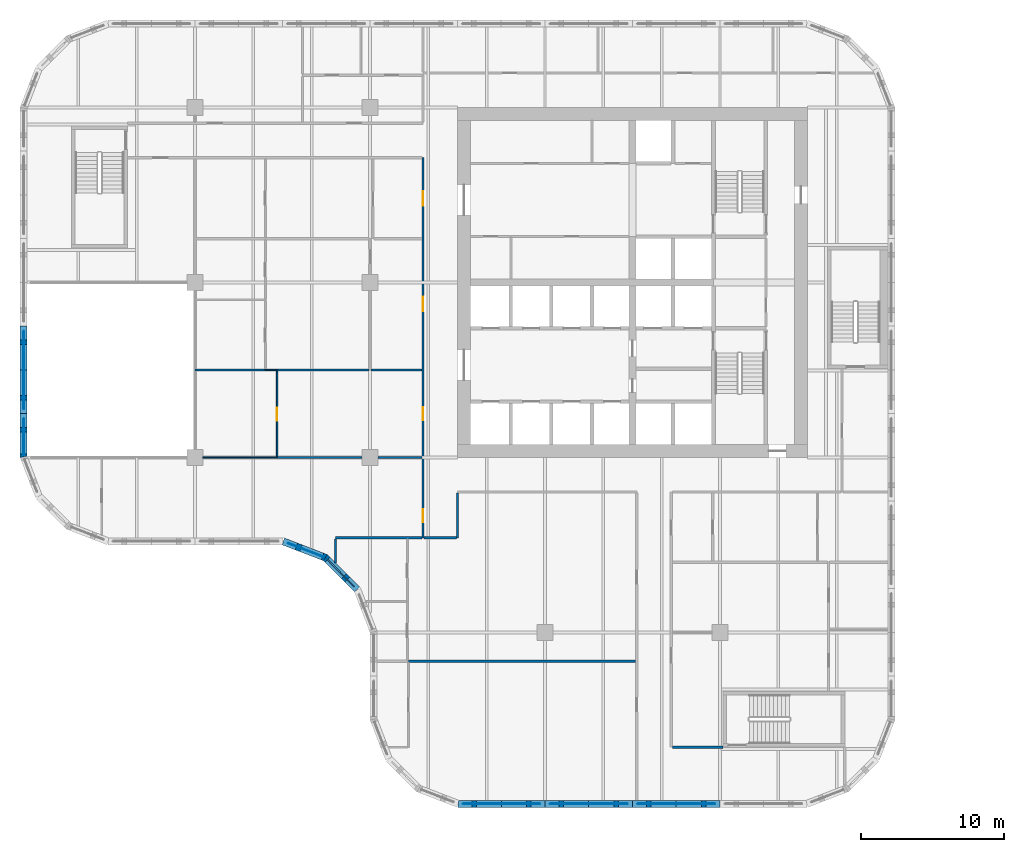
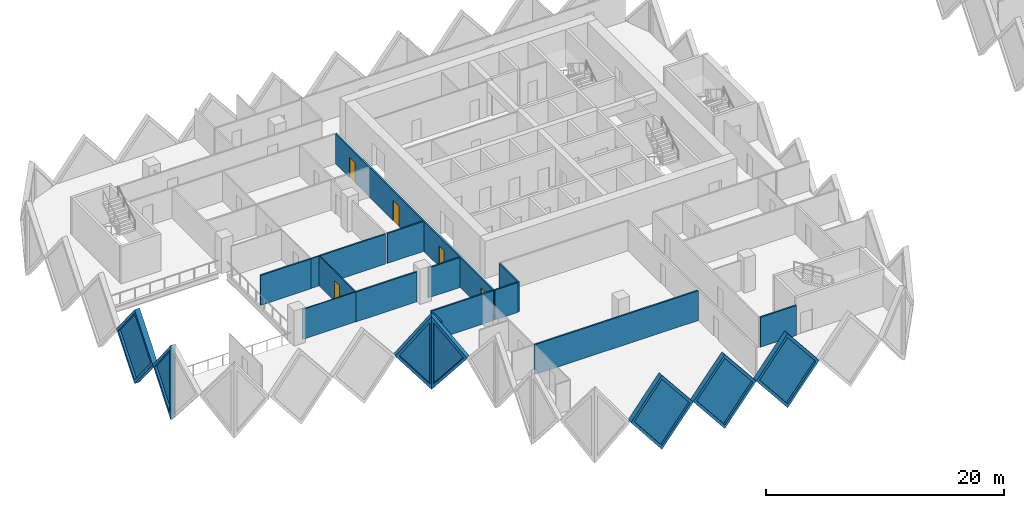
# One storey, part 5 of 19: 22 walls, 7 plates, 5 doors, 12 openings.
"""IFC4 building model written with IfcOpenShell, lengths in metres."""

from ifc_helpers import new_model, si_unit, direction, frame, frame_2d, origin, place, context, subcontext, project, spatial, polyline, rectangle, outline, extrude, faceted_brep, source, transform, mapped, material, layer, layer_set, type_object, element, fill, save


model = new_model("IFC4")

# Units and contexts
model_context = context("Model", 3, precision=1e-05, world=origin(), true_north=direction((0.0, 1.0)))
body_context = subcontext(model_context, "Body", "Model", "MODEL_VIEW")
ifc_project = project(units=[si_unit("LENGTHUNIT", "METRE"), si_unit("AREAUNIT", "SQUARE_METRE"), si_unit("VOLUMEUNIT", "CUBIC_METRE"), si_unit("PLANEANGLEUNIT", "RADIAN"), si_unit("MASSUNIT", "GRAM", prefix="KILO")], contexts=[model_context])

# Site, building, storey
site_placement = place(None, origin())
site = spatial("IfcSite", under=ifc_project, at=site_placement, CompositionType="ELEMENT")
building_placement = place(site_placement, origin())
building = spatial("IfcBuilding", under=site, at=building_placement, Name="Tessera Gate Towers", CompositionType="ELEMENT")
storey_placement = place(building_placement, frame((0.0, 0.0, 29.60009765625)))
storey = spatial("IfcBuildingStorey", under=building, at=storey_placement, Name="L06", CompositionType="ELEMENT", Elevation=29.60009765625)

# Wall
ifc_material_1 = material(Name="Gypsum board on steel studs, mineral wool", Category="steel")
ifc_layer_1 = layer(ifc_material_1, 0.14990234375)
ifc_layer_set_1 = layer_set([ifc_layer_1], Name="CORRIDOR WALL 150")
wall_type_1 = type_object("IfcWallType", Name="CORRIDOR WALL 150", PredefinedType="PARTITIONING", material=ifc_layer_set_1)
wall_1_placement = place(storey_placement, frame((45.47607421875, 4.199951171875, 0.0), z_axis=(0.0, 0.0, 1.0), x_axis=(1.0, 0.0, 0.0)))
element("IfcWall", 1, at=wall_1_placement, inside=storey, type_object=wall_type_1, Name="T1-L06-PW-006", PredefinedType="PARTITIONING", context=body_context, shape_type="SweptSolid", body=[
    extrude(rectangle(XDim=3.52392578125, YDim=0.14990234375, at=frame_2d((1.761962890625, 0.0))), origin(), (0.0, 0.0, 1.0), 3.06689453125),
])

# Wall, openings, doors
wall_2_placement = place(storey_placement, frame((28.10009765625, 18.800048828125, 0.0), z_axis=(0.0, 0.0, 1.0), x_axis=(0.0, 1.0, 0.0)))
wall_2 = element("IfcWall", 2, at=wall_2_placement, inside=storey, type_object=wall_type_1, Name="T1-L06-PW-020", PredefinedType="PARTITIONING", context=body_context, shape_type="SweptSolid", body=[
    extrude(rectangle(XDim=26.5, YDim=0.14990234375, at=frame_2d((13.25, 0.0))), origin(), (0.0, 0.0, 1.0), 3.06689453125),
])
shared_shape_1 = source(origin(), body_context, "Body", "SweptSolid", [
    extrude(rectangle(XDim=0.89990234375, YDim=2.10009765625, at=frame_2d((0.449951171875, 1.050048828125))), frame((0.0, 0.0849609375, 0.0), z_axis=(0.0, -1.0, 0.0), x_axis=(1.0, 0.0, 0.0)), (0.0, 0.0, 1.0), 0.169921875),
])
opening_1_placement = place(wall_2_placement, frame((1.10009765625, 0.0, 0.0)))
opening_1 = element("IfcOpeningElement", 3, at=opening_1_placement, cuts=wall_2, Name="Opening D890FD60-A02-01", PredefinedType="OPENING", context=body_context, shape_type="MappedRepresentation", body=[
    mapped(shared_shape_1, transform((0.0, 0.0, 0.0), scale=1.0)),
])
shared_shape_2 = source(origin(), body_context, "Body", "SweptSolid", [
    extrude(rectangle(XDim=1.0, YDim=2.10009765625, at=frame_2d((0.5, 1.050048828125))), frame((0.0, 0.0849609375, 0.0), z_axis=(0.0, -1.0, 0.0), x_axis=(1.0, 0.0, 0.0)), (0.0, 0.0, 1.0), 0.169921875),
])
opening_2_placement = place(wall_2_placement, frame((23.15087890625, 0.0, 0.0)))
opening_2 = element("IfcOpeningElement", 4, at=opening_2_placement, cuts=wall_2, Name="Opening D2100FD60-A02-03", PredefinedType="OPENING", context=body_context, shape_type="MappedRepresentation", body=[
    mapped(shared_shape_2, transform((0.0, 0.0, 0.0), scale=1.0)),
])
opening_3_placement = place(wall_2_placement, frame((8.199951171875, 0.0, 0.0)))
opening_3 = element("IfcOpeningElement", 5, at=opening_3_placement, cuts=wall_2, Name="Opening D890FD60-A02-03", PredefinedType="OPENING", context=body_context, shape_type="MappedRepresentation", body=[
    mapped(shared_shape_1, transform((0.0, 0.0, 0.0), scale=1.0)),
])
opening_4_placement = place(wall_2_placement, frame((15.800048828125, 0.0, 0.0)))
opening_4 = element("IfcOpeningElement", 6, at=opening_4_placement, cuts=wall_2, Name="Opening D2100FD60-A02-05", PredefinedType="OPENING", context=body_context, shape_type="MappedRepresentation", body=[
    mapped(shared_shape_2, transform((0.0, 0.0, 0.0), scale=1.0)),
])
ifc_material_2 = material(Name="Timber door leaf in steel frame", Category="steel")
door_type_1 = type_object("IfcDoorType", Name="CORRIDOR DOOR 900 FD60", OperationType="NOTDEFINED", PredefinedType="DOOR", material=ifc_material_2)
shared_shape_3 = source(origin(), body_context, "Body", "SweptSolid", [
    extrude(rectangle(XDim=0.89990234375, YDim=2.10009765625, at=frame_2d((0.449951171875, 1.050048828125))), frame((0.0, 0.02490234375, 0.0), z_axis=(0.0, -1.0, 0.0), x_axis=(1.0, 0.0, 0.0)), (0.0, 0.0, 1.0), 0.050048828125),
])
door_1_placement = place(opening_1_placement, origin())
door_1 = element("IfcDoor", 7, at=door_1_placement, inside=storey, type_object=door_type_1, Name="T1-L06-PD-001", OperationType="SINGLE_SWING_LEFT", OverallHeight=2.10009765625, OverallWidth=0.89990234375, PredefinedType="DOOR", context=body_context, shape_type="MappedRepresentation", body=[
    mapped(shared_shape_3, transform((0.0, 0.0, 0.0), scale=1.0)),
])
fill(opening_1, door_1)
door_2_placement = place(opening_3_placement, origin())
door_2 = element("IfcDoor", 8, at=door_2_placement, inside=storey, type_object=door_type_1, Name="T1-L06-PD-020", OperationType="SINGLE_SWING_LEFT", OverallHeight=2.10009765625, OverallWidth=0.89990234375, PredefinedType="DOOR", context=body_context, shape_type="MappedRepresentation", body=[
    mapped(shared_shape_3, transform((0.0, 0.0, 0.0), scale=1.0)),
])
fill(opening_3, door_2)
ifc_material_3 = material(Name="Timber door leaf in steel frame", Category="steel")
door_type_2 = type_object("IfcDoorType", Name="TENANCY ENTRANCE DOOR 1000 FD60", OperationType="NOTDEFINED", PredefinedType="DOOR", material=ifc_material_3)
shared_shape_4 = source(origin(), body_context, "Body", "SweptSolid", [
    extrude(rectangle(XDim=1.0, YDim=2.10009765625, at=frame_2d((0.5, 1.050048828125))), frame((0.0, 0.02490234375, 0.0), z_axis=(0.0, -1.0, 0.0), x_axis=(1.0, 0.0, 0.0)), (0.0, 0.0, 1.0), 0.050048828125),
])
door_3_placement = place(opening_2_placement, origin())
door_3 = element("IfcDoor", 9, at=door_3_placement, inside=storey, type_object=door_type_2, Name="T1-L06-PD-017", OperationType="SINGLE_SWING_LEFT", OverallHeight=2.10009765625, OverallWidth=1.0, PredefinedType="DOOR", context=body_context, shape_type="MappedRepresentation", body=[
    mapped(shared_shape_4, transform((0.0, 0.0, 0.0), scale=1.0)),
])
fill(opening_2, door_3)
door_4_placement = place(opening_4_placement, origin())
door_4 = element("IfcDoor", 10, at=door_4_placement, inside=storey, type_object=door_type_2, Name="T1-L06-PD-026", OperationType="SINGLE_SWING_LEFT", OverallHeight=2.10009765625, OverallWidth=1.0, PredefinedType="DOOR", context=body_context, shape_type="MappedRepresentation", body=[
    mapped(shared_shape_4, transform((0.0, 0.0, 0.0), scale=1.0)),
])
fill(opening_4, door_4)

# Walls
wall_3_placement = place(storey_placement, frame((28.176025390625, 18.800048828125, 0.0), z_axis=(0.0, 0.0, 1.0), x_axis=(1.0, 0.0, 0.0)))
element("IfcWall", 11, at=wall_3_placement, inside=storey, type_object=wall_type_1, Name="T1-L06-PW-021", PredefinedType="PARTITIONING", context=body_context, shape_type="SweptSolid", body=[
    extrude(rectangle(XDim=2.248046875, YDim=0.14990234375, at=frame_2d((1.1240234375, 0.0))), origin(), (0.0, 0.0, 1.0), 3.06689453125),
])
wall_4_placement = place(storey_placement, frame((30.5, 18.800048828125, 0.0), z_axis=(0.0, 0.0, 1.0), x_axis=(0.0, 1.0, 0.0)))
element("IfcWall", 12, at=wall_4_placement, inside=storey, type_object=wall_type_1, Name="T1-L06-PW-022", PredefinedType="PARTITIONING", context=body_context, shape_type="SweptSolid", body=[
    extrude(rectangle(XDim=3.1240234375, YDim=0.14990234375, at=frame_2d((1.56201171875, 0.0))), origin(), (0.0, 0.0, 1.0), 3.06689453125),
])
ifc_material_4 = material(Name="Glass", Category="glass")
ifc_layer_2 = layer(ifc_material_4, 0.10009765625)
ifc_layer_set_2 = layer_set([ifc_layer_2], Name="GLAZED PARTITION 100")
wall_type_2 = type_object("IfcWallType", Name="GLAZED PARTITION 100", PredefinedType="PARTITIONING", material=ifc_layer_set_2)
wall_5_placement = place(storey_placement, frame((12.7509765625, 24.39990234375, 0.0), z_axis=(0.0, 0.0, 1.0), x_axis=(1.0, 0.0, 0.0)))
element("IfcWall", 13, at=wall_5_placement, inside=storey, type_object=wall_type_2, Name="T1-L06-PW-028", PredefinedType="PARTITIONING", context=body_context, shape_type="SweptSolid", body=[
    extrude(rectangle(XDim=5.173095703125, YDim=0.10009765625, at=frame_2d((2.58642578125, 0.0))), origin(), (0.0, 0.0, 1.0), 3.06689453125),
])

# Wall, opening, door
wall_6_placement = place(storey_placement, frame((17.925048828125, 24.47607421875, 0.0), z_axis=(0.0, 0.0, 1.0), x_axis=(0.0, 1.0, 0.0)))
wall_6 = element("IfcWall", 14, at=wall_6_placement, inside=storey, type_object=wall_type_2, Name="T1-L06-PW-031", PredefinedType="PARTITIONING", context=body_context, shape_type="SweptSolid", body=[
    extrude(rectangle(XDim=5.947998046875, YDim=0.10009765625, at=frame_2d((2.97412109375, 0.0))), origin(), (0.0, 0.0, 1.0), 3.06689453125),
])
shared_shape_5 = source(origin(), body_context, "Body", "SweptSolid", [
    extrude(rectangle(XDim=0.89990234375, YDim=2.10009765625, at=frame_2d((0.449951171875, 1.050048828125))), frame((0.0, 0.06005859375, 0.0), z_axis=(0.0, -1.0, 0.0), x_axis=(1.0, 0.0, 0.0)), (0.0, 0.0, 1.0), 0.1201171875),
])
opening_5_placement = place(wall_6_placement, frame((2.5, 0.0, 0.0)))
opening_5 = element("IfcOpeningElement", 15, at=opening_5_placement, cuts=wall_6, Name="Opening D690-A02-02", PredefinedType="OPENING", context=body_context, shape_type="MappedRepresentation", body=[
    mapped(shared_shape_5, transform((0.0, 0.0, 0.0), scale=1.0)),
])
ifc_material_5 = material(Name="Glass in aluminium frame", Category="aluminium")
door_type_3 = type_object("IfcDoorType", Name="GLAZED DOOR 900 NOT RATED", OperationType="NOTDEFINED", PredefinedType="DOOR", material=ifc_material_5)
door_5_placement = place(opening_5_placement, origin())
door_5 = element("IfcDoor", 16, at=door_5_placement, inside=storey, type_object=door_type_3, Name="T1-L06-PD-018", OperationType="SINGLE_SWING_LEFT", OverallHeight=2.10009765625, OverallWidth=0.89990234375, PredefinedType="DOOR", context=body_context, shape_type="MappedRepresentation", body=[
    mapped(shared_shape_3, transform((0.0, 0.0, 0.0), scale=1.0)),
])
fill(opening_5, door_5)

# Walls
wall_7_placement = place(storey_placement, frame((17.10107421875, 30.5, 0.0), z_axis=(0.0, 0.0, 1.0), x_axis=(1.0, 0.0, 0.0)))
element("IfcWall", 17, at=wall_7_placement, inside=storey, type_object=wall_type_2, Name="T1-L06-PW-033", PredefinedType="PARTITIONING", context=body_context, shape_type="SweptSolid", body=[
    extrude(rectangle(XDim=0.822998046875, YDim=0.10009765625, at=frame_2d((0.41162109375, 0.0))), origin(), (0.0, 0.0, 1.0), 3.06689453125),
])
ifc_material_6 = material(Name="Gypsum board on steel studs, mineral wool", Category="steel")
ifc_layer_3 = layer(ifc_material_6, 0.14990234375)
ifc_layer_set_3 = layer_set([ifc_layer_3], Name="TENANCY WALL 150")
wall_type_3 = type_object("IfcWallType", Name="TENANCY WALL 150", PredefinedType="PARTITIONING", material=ifc_layer_set_3)
wall_8_placement = place(storey_placement, frame((27.074951171875, 10.199951171875, 0.0), z_axis=(0.0, 0.0, 1.0), x_axis=(1.0, 0.0, 0.0)))
element("IfcWall", 18, at=wall_8_placement, inside=storey, type_object=wall_type_3, Name="T1-L06-PW-009", PredefinedType="PARTITIONING", context=body_context, shape_type="SweptSolid", body=[
    extrude(rectangle(XDim=15.84912109375, YDim=0.14990234375, at=frame_2d((7.924560546875, 0.0))), origin(), (0.0, 0.0, 1.0), 3.06689453125),
])
wall_9_placement = place(storey_placement, frame((22.0, 17.054931640625, 0.0), z_axis=(0.0, 0.0, 1.0), x_axis=(0.0, 1.0, 0.0)))
element("IfcWall", 19, at=wall_9_placement, inside=storey, type_object=wall_type_3, Name="T1-L06-PW-014", PredefinedType="PARTITIONING", context=body_context, shape_type="SweptSolid", body=[
    extrude(rectangle(XDim=1.669189453125, YDim=0.14990234375, at=frame_2d((0.83447265625, 0.0))), origin(), (0.0, 0.0, 1.0), 3.06689453125),
])
wall_10_placement = place(storey_placement, frame((22.0, 18.800048828125, 0.0), z_axis=(0.0, 0.0, 1.0), x_axis=(1.0, 0.0, 0.0)))
element("IfcWall", 20, at=wall_10_placement, inside=storey, type_object=wall_type_3, Name="T1-L06-PW-019", PredefinedType="PARTITIONING", context=body_context, shape_type="SweptSolid", body=[
    extrude(rectangle(XDim=6.02392578125, YDim=0.14990234375, at=frame_2d((3.011962890625, 0.0))), origin(), (0.0, 0.0, 1.0), 3.06689453125),
])
wall_11_placement = place(storey_placement, frame((17.925048828125, 24.39990234375, 0.0), z_axis=(0.0, 0.0, 1.0), x_axis=(1.0, 0.0, 0.0)))
element("IfcWall", 21, at=wall_11_placement, inside=storey, type_object=wall_type_3, Name="T1-L06-PW-029", PredefinedType="PARTITIONING", context=body_context, shape_type="SweptSolid", body=[
    extrude(rectangle(XDim=5.924072265625, YDim=0.14990234375, at=frame_2d((2.9619140625, 0.0))), origin(), (0.0, 0.0, 1.0), 3.06689453125),
])
wall_12_placement = place(storey_placement, frame((24.950927734375, 24.39990234375, 0.0), z_axis=(0.0, 0.0, 1.0), x_axis=(1.0, 0.0, 0.0)))
element("IfcWall", 22, at=wall_12_placement, inside=storey, type_object=wall_type_3, Name="T1-L06-PW-030", PredefinedType="PARTITIONING", context=body_context, shape_type="SweptSolid", body=[
    extrude(rectangle(XDim=3.072998046875, YDim=0.14990234375, at=frame_2d((1.53662109375, 0.0))), origin(), (0.0, 0.0, 1.0), 3.06689453125),
])
wall_13_placement = place(storey_placement, frame((12.199951171875, 30.5, 0.0), z_axis=(0.0, 0.0, 1.0), x_axis=(1.0, 0.0, 0.0)))
element("IfcWall", 23, at=wall_13_placement, inside=storey, type_object=wall_type_3, Name="T1-L06-PW-032", PredefinedType="PARTITIONING", context=body_context, shape_type="SweptSolid", body=[
    extrude(rectangle(XDim=4.900146484375, YDim=0.14990234375, at=frame_2d((2.4501953125, 0.0))), origin(), (0.0, 0.0, 1.0), 3.06689453125),
])
wall_14_placement = place(storey_placement, frame((17.925048828125, 30.5, 0.0), z_axis=(0.0, 0.0, 1.0), x_axis=(1.0, 0.0, 0.0)))
element("IfcWall", 24, at=wall_14_placement, inside=storey, type_object=wall_type_3, Name="T1-L06-PW-034", PredefinedType="PARTITIONING", context=body_context, shape_type="SweptSolid", body=[
    extrude(rectangle(XDim=6.39892578125, YDim=0.14990234375, at=frame_2d((3.199462890625, 0.0))), origin(), (0.0, 0.0, 1.0), 3.06689453125),
])
wall_15_placement = place(storey_placement, frame((24.47607421875, 30.5, 0.0), z_axis=(0.0, 0.0, 1.0), x_axis=(1.0, 0.0, 0.0)))
element("IfcWall", 25, at=wall_15_placement, inside=storey, type_object=wall_type_3, Name="T1-L06-PW-036", PredefinedType="PARTITIONING", context=body_context, shape_type="SweptSolid", body=[
    extrude(rectangle(XDim=3.5478515625, YDim=0.14990234375, at=frame_2d((1.77392578125, 0.0))), origin(), (0.0, 0.0, 1.0), 3.06689453125),
])

# Wall, opening, plate
ifc_material_7 = material(Name="Precast concrete C60/75 white", Category="concrete")
ifc_layer_4 = layer(ifc_material_7, 0.5)
ifc_layer_set_4 = layer_set([ifc_layer_4], Name="TS1 tessera")
wall_type_4 = type_object("IfcWallType", Name="TS1 tessera", PredefinedType="SOLIDWALL", material=ifc_layer_set_4)
shared_shape_6 = source(origin(), body_context, "Body", "Brep", [
    faceted_brep([(3.00341796875, -0.25, 0.0), (6.053466796875, -0.25, 3.800048828125), (3.00341796875, -0.25, 7.599853515625), (0.0, -0.25, 3.800048828125), (0.046630859375, 0.25, 3.85888671875), (3.00341796875, 0.25, 7.599853515625), (6.053466796875, 0.25, 3.800048828125), (3.00341796875, 0.25, 0.0), (0.046630859375, 0.25, 3.7412109375), (0.0, 0.0, 3.800048828125)], [[[0, 1, 2, 3]], [[4, 5, 6, 7, 8]], [[7, 6, 1, 0]], [[6, 5, 2, 1]], [[5, 4, 9, 3, 2]], [[8, 7, 0, 3, 9]], [[8, 9, 4]]]),
])
wall_16_placement = place(storey_placement, frame((30.546630859375, 0.25, -3.800048828125), z_axis=(0.0, 0.0, 1.0), x_axis=(1.0, 0.0, 0.0)))
wall_16 = element("IfcWall", 26, at=wall_16_placement, inside=storey, type_object=wall_type_4, Name="Precast tessera T1 TS1-0023", PredefinedType="SOLIDWALL", context=body_context, shape_type="MappedRepresentation", body=[
    mapped(shared_shape_6, transform((0.0, 0.0, 0.0), scale=1.0)),
])
shared_shape_7 = source(origin(), body_context, "Body", "SweptSolid", [
    extrude(outline(polyline([(3.0048828125, 0.401123046875), (5.73291015625, 3.800048828125), (3.0048828125, 7.19873046875), (0.318603515625, 3.800048828125), (3.0048828125, 0.401123046875)])), frame((0.0, 0.260009765625, 0.0), z_axis=(0.0, -1.0, 0.0), x_axis=(1.0, 0.0, 0.0)), (0.0, 0.0, 1.0), 0.52001953125),
])
opening_6_placement = place(wall_16_placement, origin())
opening_6 = element("IfcOpeningElement", 27, at=opening_6_placement, cuts=wall_16, Name="Opening T1-PL2-0047", PredefinedType="OPENING", context=body_context, shape_type="MappedRepresentation", body=[
    mapped(shared_shape_7, transform((0.0, 0.0, 0.0), scale=1.0)),
])
ifc_material_8 = material(Name="Low-e laminated glass", Category="glass")
ifc_layer_5 = layer(ifc_material_8, 0.06005859375)
ifc_layer_set_5 = layer_set([ifc_layer_5], Name="PL2 rhombic pane")
plate_type = type_object("IfcPlateType", Name="PL2 rhombic pane", PredefinedType="SHEET", material=ifc_layer_set_5)
shared_shape_8 = source(origin(), body_context, "Body", "SweptSolid", [
    extrude(outline(polyline([(3.0048828125, 0.401123046875), (5.73291015625, 3.800048828125), (3.0048828125, 7.19873046875), (0.318603515625, 3.800048828125), (3.0048828125, 0.401123046875)])), frame((0.0, 0.030029296875, 0.0), z_axis=(0.0, -1.0, 0.0), x_axis=(1.0, 0.0, 0.0)), (0.0, 0.0, 1.0), 0.06005859375),
])
plate_1_placement = place(opening_6_placement, origin())
plate_1 = element("IfcPlate", 28, at=plate_1_placement, inside=storey, type_object=plate_type, Name="Glass pane T1 PL2-0047", PredefinedType="SHEET", context=body_context, shape_type="MappedRepresentation", body=[
    mapped(shared_shape_8, transform((0.0, 0.0, 0.0), scale=1.0)),
])
fill(opening_6, plate_1)

shared_shape_9 = source(origin(), body_context, "Body", "Brep", [
    faceted_brep([(3.050048828125, -0.25, 0.0), (6.099853515625, -0.25, 3.7998046875), (6.099853515625, -0.25, 3.80029296875), (3.050048828125, -0.25, 7.599853515625), (0.0, -0.25, 3.800048828125), (0.0, 0.25, 3.800048828125), (3.050048828125, 0.25, 7.599853515625), (6.099853515625, 0.25, 3.80029296875), (6.099853515625, 0.25, 3.7998046875), (3.050048828125, 0.25, 0.0)], [[[0, 1, 2, 3, 4]], [[5, 6, 7, 8, 9]], [[9, 8, 1, 0]], [[7, 6, 3, 2]], [[6, 5, 4, 3]], [[5, 9, 0, 4]], [[1, 8, 7, 2]]]),
])
wall_17_placement = place(storey_placement, frame((36.60009765625, 0.25, -3.800048828125), z_axis=(0.0, 0.0, 1.0), x_axis=(1.0, 0.0, 0.0)))
wall_17 = element("IfcWall", 29, at=wall_17_placement, inside=storey, type_object=wall_type_4, Name="Precast tessera T1 TS1-0024", PredefinedType="SOLIDWALL", context=body_context, shape_type="MappedRepresentation", body=[
    mapped(shared_shape_9, transform((0.0, 0.0, 0.0), scale=1.0)),
])
shared_shape_10 = source(origin(), body_context, "Body", "SweptSolid", [
    extrude(outline(polyline([(3.050048828125, 0.3994140625), (5.779541015625, 3.800048828125), (3.050048828125, 7.200439453125), (0.320556640625, 3.800048828125), (3.050048828125, 0.3994140625)])), frame((0.0, 0.260009765625, 0.0), z_axis=(0.0, -1.0, 0.0), x_axis=(1.0, 0.0, 0.0)), (0.0, 0.0, 1.0), 0.52001953125),
])
opening_7_placement = place(wall_17_placement, origin())
opening_7 = element("IfcOpeningElement", 30, at=opening_7_placement, cuts=wall_17, Name="Opening T1-PL2-0048", PredefinedType="OPENING", context=body_context, shape_type="MappedRepresentation", body=[
    mapped(shared_shape_10, transform((0.0, 0.0, 0.0), scale=1.0)),
])
shared_shape_11 = source(origin(), body_context, "Body", "SweptSolid", [
    extrude(outline(polyline([(3.050048828125, 0.3994140625), (5.779541015625, 3.800048828125), (3.050048828125, 7.200439453125), (0.320556640625, 3.800048828125), (3.050048828125, 0.3994140625)])), frame((0.0, 0.030029296875, 0.0), z_axis=(0.0, -1.0, 0.0), x_axis=(1.0, 0.0, 0.0)), (0.0, 0.0, 1.0), 0.06005859375),
])
plate_2_placement = place(opening_7_placement, origin())
plate_2 = element("IfcPlate", 31, at=plate_2_placement, inside=storey, type_object=plate_type, Name="Glass pane T1 PL2-0048", PredefinedType="SHEET", context=body_context, shape_type="MappedRepresentation", body=[
    mapped(shared_shape_11, transform((0.0, 0.0, 0.0), scale=1.0)),
])
fill(opening_7, plate_2)

shared_shape_12 = source(origin(), body_context, "Body", "SweptSolid", [
    extrude(outline(polyline([(3.050048828125, 0.0), (6.10009765625, 3.800048828125), (3.050048828125, 7.599853515625), (0.0, 3.800048828125), (3.050048828125, 0.0)])), frame((0.0, 0.25, 0.0), z_axis=(0.0, -1.0, 0.0), x_axis=(1.0, 0.0, 0.0)), (0.0, 0.0, 1.0), 0.5),
])
wall_18_placement = place(storey_placement, frame((42.699951171875, 0.25, -3.800048828125), z_axis=(0.0, 0.0, 1.0), x_axis=(1.0, 0.0, 0.0)))
wall_18 = element("IfcWall", 32, at=wall_18_placement, inside=storey, type_object=wall_type_4, Name="Precast tessera T1 TS1-0025", PredefinedType="SOLIDWALL", context=body_context, shape_type="MappedRepresentation", body=[
    mapped(shared_shape_12, transform((0.0, 0.0, 0.0), scale=1.0)),
])
opening_8_placement = place(wall_18_placement, origin())
opening_8 = element("IfcOpeningElement", 33, at=opening_8_placement, cuts=wall_18, Name="Opening T1-PL2-0049", PredefinedType="OPENING", context=body_context, shape_type="MappedRepresentation", body=[
    mapped(shared_shape_10, transform((0.0, 0.0, 0.0), scale=1.0)),
])
plate_3_placement = place(opening_8_placement, origin())
plate_3 = element("IfcPlate", 34, at=plate_3_placement, inside=storey, type_object=plate_type, Name="Glass pane T1 PL2-0049", PredefinedType="SHEET", context=body_context, shape_type="MappedRepresentation", body=[
    mapped(shared_shape_11, transform((0.0, 0.0, 0.0), scale=1.0)),
])
fill(opening_8, plate_3)

wall_19_placement = place(storey_placement, frame((0.25, 33.550048828125, -3.800048828125), z_axis=(0.0, 0.0, 1.0), x_axis=(0.0, -1.0, 0.0)))
wall_19 = element("IfcWall", 35, at=wall_19_placement, inside=storey, type_object=wall_type_4, Name="Precast tessera T1 TS1-0043", PredefinedType="SOLIDWALL", context=body_context, shape_type="MappedRepresentation", body=[
    mapped(shared_shape_12, transform((0.0, 0.0, 0.0), scale=1.0)),
])
opening_9_placement = place(wall_19_placement, origin())
opening_9 = element("IfcOpeningElement", 36, at=opening_9_placement, cuts=wall_19, Name="Opening T1-PL2-0079", PredefinedType="OPENING", context=body_context, shape_type="MappedRepresentation", body=[
    mapped(shared_shape_10, transform((0.0, 0.0, 0.0), scale=1.0)),
])
plate_4_placement = place(opening_9_placement, origin())
plate_4 = element("IfcPlate", 37, at=plate_4_placement, inside=storey, type_object=plate_type, Name="Glass pane T1 PL2-0079", PredefinedType="SHEET", context=body_context, shape_type="MappedRepresentation", body=[
    mapped(shared_shape_11, transform((0.0, 0.0, 0.0), scale=1.0)),
])
fill(opening_9, plate_4)

ifc_material_9 = material(Name="Precast concrete C60/75 white", Category="concrete")
ifc_layer_6 = layer(ifc_material_9, 0.5)
ifc_layer_set_6 = layer_set([ifc_layer_6], Name="TS3 corner tessera")
wall_type_5 = type_object("IfcWallType", Name="TS3 corner tessera", PredefinedType="SOLIDWALL", material=ifc_layer_set_6)
shared_shape_13 = source(origin(), body_context, "Body", "Brep", [
    faceted_brep([(3.00341796875, -0.25, 0.0), (3.050048828125, -0.25, 0.06005859375), (3.050048828125, -0.25, 7.539794921875), (3.00341796875, -0.25, 7.599853515625), (0.0, -0.25, 3.800048828125), (0.0, 0.25, 3.800048828125), (2.956787109375, 0.25, 7.541015625), (2.956787109375, 0.25, 0.058837890625), (3.00341796875, 0.000244140625, 0.0), (3.00341796875, 0.000244140625, 7.599853515625)], [[[0, 1, 2, 3, 4]], [[5, 6, 7]], [[1, 0, 8]], [[9, 3, 2]], [[6, 5, 4, 3, 9]], [[5, 7, 8, 0, 4]], [[1, 8, 7, 6, 9, 2]]]),
])
wall_20_placement = place(storey_placement, frame((0.25, 27.449951171875, -3.800048828125), z_axis=(0.0, 0.0, 1.0), x_axis=(0.0, -1.0, 0.0)))
wall_20 = element("IfcWall", 38, at=wall_20_placement, inside=storey, type_object=wall_type_5, Name="Precast corner tessera T1 TS3-0109", PredefinedType="SOLIDWALL", context=body_context, shape_type="MappedRepresentation", body=[
    mapped(shared_shape_13, transform((0.0, 0.0, 0.0), scale=1.0)),
])
shared_shape_14 = source(origin(), body_context, "Body", "SweptSolid", [
    extrude(outline(polyline([(2.803466796875, 6.94384765625), (0.318603515625, 3.800048828125), (2.803466796875, 0.65625), (2.803466796875, 6.94384765625)])), frame((0.0, 0.260009765625, 0.0), z_axis=(0.0, -1.0, 0.0), x_axis=(1.0, 0.0, 0.0)), (0.0, 0.0, 1.0), 0.52001953125),
])
opening_10_placement = place(wall_20_placement, origin())
opening_10 = element("IfcOpeningElement", 39, at=opening_10_placement, cuts=wall_20, Name="Opening T1-PL2-0080", PredefinedType="OPENING", context=body_context, shape_type="MappedRepresentation", body=[
    mapped(shared_shape_14, transform((0.0, 0.0, 0.0), scale=1.0)),
])
shared_shape_15 = source(origin(), body_context, "Body", "SweptSolid", [
    extrude(outline(polyline([(2.803466796875, 6.94384765625), (0.318603515625, 3.800048828125), (2.803466796875, 0.65625), (2.803466796875, 6.94384765625)])), frame((0.0, 0.030029296875, 0.0), z_axis=(0.0, -1.0, 0.0), x_axis=(1.0, 0.0, 0.0)), (0.0, 0.0, 1.0), 0.06005859375),
])
plate_5_placement = place(opening_10_placement, origin())
plate_5 = element("IfcPlate", 40, at=plate_5_placement, inside=storey, type_object=plate_type, Name="Glass pane T1 PL2-0080", PredefinedType="SHEET", context=body_context, shape_type="MappedRepresentation", body=[
    mapped(shared_shape_15, transform((0.0, 0.0, 0.0), scale=1.0)),
])
fill(opening_10, plate_5)

shared_shape_16 = source(origin(), body_context, "Body", "Brep", [
    faceted_brep([(3.096435546875, -0.25, 7.5361328125), (0.046630859375, -0.25, 3.856201171875), (0.046630859375, -0.25, 3.743896484375), (3.096435546875, -0.25, 0.063720703125), (0.0, 0.25, 3.800048828125), (3.1494140625, 0.25, 7.599853515625), (3.202392578125, 0.25, 7.5361328125), (3.202392578125, 0.25, 0.063720703125), (3.1494140625, 0.25, 0.0), (3.1494140625, -0.000244140625, 0.0), (3.1494140625, -0.000244140625, 7.599853515625), (0.0, 0.0, 3.800048828125)], [[[0, 1, 2, 3]], [[4, 5, 6, 7, 8]], [[8, 7, 9]], [[6, 5, 10]], [[5, 4, 11, 1, 0, 10]], [[4, 8, 9, 3, 2, 11]], [[2, 1, 11]], [[3, 9, 7, 6, 10, 0]]]),
])
wall_21_placement = place(storey_placement, frame((18.346435546875, 18.550048828125, -3.800048828125), z_axis=(0.0, 0.0, 1.0), x_axis=(0.932985567668, -0.359913782069, 0.0)))
wall_21 = element("IfcWall", 41, at=wall_21_placement, inside=storey, type_object=wall_type_5, Name="Precast corner tessera T1 TS3-0113", PredefinedType="SOLIDWALL", context=body_context, shape_type="MappedRepresentation", body=[
    mapped(shared_shape_16, transform((0.0, 0.0, 0.0), scale=1.0)),
])
shared_shape_17 = source(origin(), body_context, "Body", "SweptSolid", [
    extrude(outline(polyline([(2.949462890625, 6.966796875), (0.32470703125, 3.800048828125), (2.949462890625, 0.633056640625), (2.949462890625, 6.966796875)])), frame((0.0, 0.260009765625, 0.0), z_axis=(0.0, -1.0, 0.0), x_axis=(1.0, 0.0, 0.0)), (0.0, 0.0, 1.0), 0.52001953125),
])
opening_11_placement = place(wall_21_placement, origin())
opening_11 = element("IfcOpeningElement", 42, at=opening_11_placement, cuts=wall_21, Name="Opening T1-PL2-0086", PredefinedType="OPENING", context=body_context, shape_type="MappedRepresentation", body=[
    mapped(shared_shape_17, transform((0.0, 0.0, 0.0), scale=1.0)),
])
shared_shape_18 = source(origin(), body_context, "Body", "SweptSolid", [
    extrude(outline(polyline([(2.949462890625, 6.966796875), (0.32470703125, 3.800048828125), (2.949462890625, 0.633056640625), (2.949462890625, 6.966796875)])), frame((0.0, 0.030029296875, 0.0), z_axis=(0.0, -1.0, 0.0), x_axis=(1.0, 0.0, 0.0)), (0.0, 0.0, 1.0), 0.06005859375),
])
plate_6_placement = place(opening_11_placement, origin())
plate_6 = element("IfcPlate", 43, at=plate_6_placement, inside=storey, type_object=plate_type, Name="Glass pane T1 PL2-0086", PredefinedType="SHEET", context=body_context, shape_type="MappedRepresentation", body=[
    mapped(shared_shape_18, transform((0.0, 0.0, 0.0), scale=1.0)),
])
fill(opening_11, plate_6)

shared_shape_19 = source(origin(), body_context, "Body", "Brep", [
    faceted_brep([(0.10595703125, -0.25, 0.063720703125), (3.156005859375, -0.25, 3.736328125), (3.156005859375, -0.25, 3.86376953125), (0.10595703125, -0.25, 7.5361328125), (0.0, 0.25, 7.535888671875), (0.052978515625, 0.25, 7.599853515625), (3.208740234375, 0.25, 3.800048828125), (0.052978515625, 0.25, 0.0), (0.0, 0.25, 0.06396484375), (3.208740234375, -0.00048828125, 3.800048828125), (0.052978515625, 0.0, 0.0), (0.052978515625, 0.0, 7.599853515625)], [[[0, 1, 2, 3]], [[4, 5, 6, 7, 8]], [[7, 6, 9, 1, 0, 10]], [[6, 5, 11, 3, 2, 9]], [[5, 4, 11]], [[8, 7, 10]], [[8, 10, 0, 3, 11, 4]], [[1, 9, 2]]]),
])
wall_22_placement = place(storey_placement, frame((21.24755859375, 17.453857421875, -3.800048828125), z_axis=(0.0, 0.0, 1.0), x_axis=(0.707106781187, -0.707106781187, 0.0)))
wall_22 = element("IfcWall", 44, at=wall_22_placement, inside=storey, type_object=wall_type_5, Name="Precast corner tessera T1 TS3-0114", PredefinedType="SOLIDWALL", context=body_context, shape_type="MappedRepresentation", body=[
    mapped(shared_shape_19, transform((0.0, 0.0, 0.0), scale=1.0)),
])
shared_shape_20 = source(origin(), body_context, "Body", "SweptSolid", [
    extrude(outline(polyline([(0.2529296875, 0.632080078125), (2.8837890625, 3.800048828125), (0.2529296875, 6.9677734375), (0.2529296875, 0.632080078125)])), frame((0.0, 0.260009765625, 0.0), z_axis=(0.0, -1.0, 0.0), x_axis=(1.0, 0.0, 0.0)), (0.0, 0.0, 1.0), 0.52001953125),
])
opening_12_placement = place(wall_22_placement, origin())
opening_12 = element("IfcOpeningElement", 45, at=opening_12_placement, cuts=wall_22, Name="Opening T1-PL2-0087", PredefinedType="OPENING", context=body_context, shape_type="MappedRepresentation", body=[
    mapped(shared_shape_20, transform((0.0, 0.0, 0.0), scale=1.0)),
])
shared_shape_21 = source(origin(), body_context, "Body", "SweptSolid", [
    extrude(outline(polyline([(0.2529296875, 0.632080078125), (2.8837890625, 3.800048828125), (0.2529296875, 6.9677734375), (0.2529296875, 0.632080078125)])), frame((0.0, 0.030029296875, 0.0), z_axis=(0.0, -1.0, 0.0), x_axis=(1.0, 0.0, 0.0)), (0.0, 0.0, 1.0), 0.06005859375),
])
plate_7_placement = place(opening_12_placement, origin())
plate_7 = element("IfcPlate", 46, at=plate_7_placement, inside=storey, type_object=plate_type, Name="Glass pane T1 PL2-0087", PredefinedType="SHEET", context=body_context, shape_type="MappedRepresentation", body=[
    mapped(shared_shape_21, transform((0.0, 0.0, 0.0), scale=1.0)),
])
fill(opening_12, plate_7)

save(model, "model.ifc")
